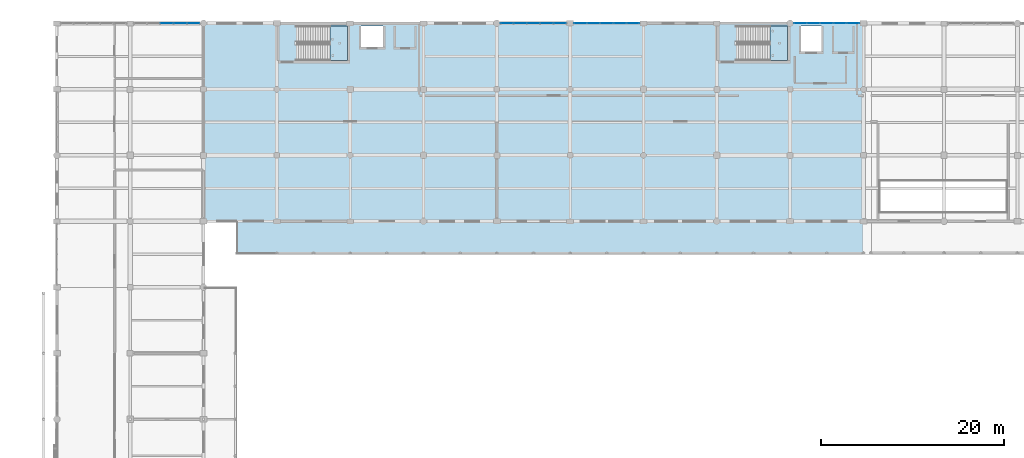
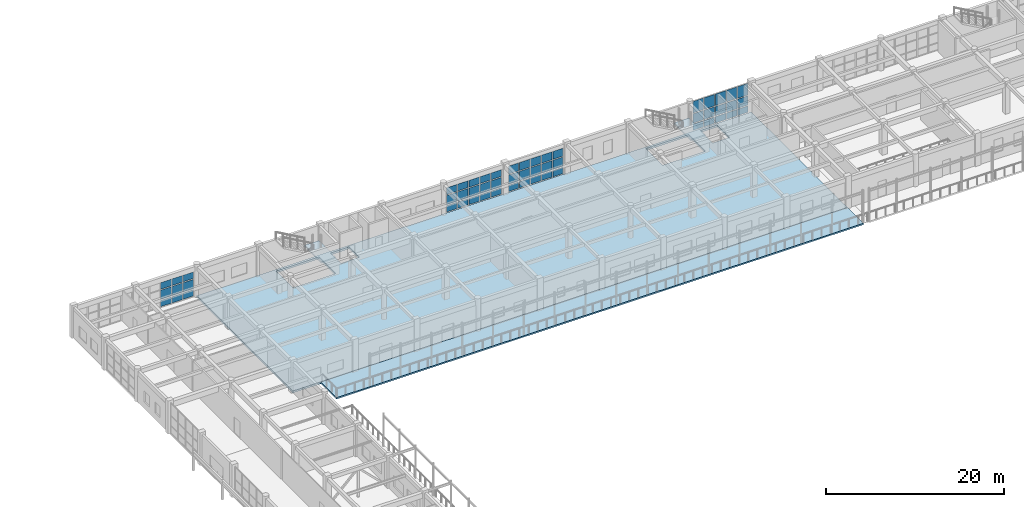
# One storey, part 115 of 160: 54 plates, 4 slabs, 6 elements without a shape of their own.
"""IFC4 building model written with IfcOpenShell, lengths in metres."""

from ifc_helpers import new_model, si_unit, direction, frame, origin, origin_2d, place, context, subcontext, project, spatial, polyline, rectangle, outline, extrude, material, layer, layer_set, type_object, element, aggregate, save


model = new_model("IFC4")

# Units and contexts
model_context = context("Model", 3, precision=1e-05, world=origin(), true_north=direction((0.0, 1.0)))
body_context = subcontext(model_context, "Body", "Model", "MODEL_VIEW")
ifc_project = project(units=[si_unit("LENGTHUNIT", "METRE"), si_unit("AREAUNIT", "SQUARE_METRE"), si_unit("VOLUMEUNIT", "CUBIC_METRE"), si_unit("PLANEANGLEUNIT", "RADIAN"), si_unit("MASSUNIT", "GRAM", prefix="KILO")], contexts=[model_context])

# Site, building, storey
site_placement = place(None, origin())
site = spatial("IfcSite", under=ifc_project, at=site_placement, CompositionType="ELEMENT")
building_placement = place(site_placement, origin())
building = spatial("IfcBuilding", under=site, at=building_placement, Name="Kharva Crest Polytechnic", CompositionType="ELEMENT")
storey_placement = place(building_placement, frame((0.0, 0.0, 4.5)))
storey = spatial("IfcBuildingStorey", under=building, at=storey_placement, Name="L01", CompositionType="ELEMENT", Elevation=4.5)

# Curtain wall, plates
ifc_material_1 = material(Name="Tempered insulated glass", Category="glass")
curtain_wall_type = type_object("IfcCurtainWallType", Name="CW-SYS-COURT", PredefinedType="USERDEFINED", material=ifc_material_1)
curtain_wall_1_placement = place(storey_placement, origin())
curtain_wall_1 = element("IfcCurtainWall", 1, at=curtain_wall_1_placement, inside=storey, type_object=curtain_wall_type, Name="L01 Glazed Curtain Wall CW-073", ObjectType="CURTAIN WALL", PredefinedType="USERDEFINED")
ifc_layer_1 = layer(ifc_material_1, 0.02392578125, Name="Tempered insulated glass")
ifc_layer_set_1 = layer_set([ifc_layer_1], Name="Tempered insulated glass")
plate_type = type_object("IfcPlateType", Name="CWP-GLZ-24", PredefinedType="CURTAIN_PANEL", material=ifc_layer_set_1)
plate_1_placement = place(storey_placement, frame((118.87451171875, 122.0, 0.119873046875), z_axis=(0.0, 0.0, 1.0), x_axis=(-1.0, 0.0, 0.0)))
plate_1 = element("IfcPlate", 2, at=plate_1_placement, type_object=plate_type, Name="CW-073 panel 1.1", PredefinedType="CURTAIN_PANEL", context=body_context, shape_type="SweptSolid", body=[
    extrude(rectangle(XDim=1.3310546875, YDim=0.02392578125, at=origin_2d()), origin(), (0.0, 0.0, 1.0), 0.8701171875),
])
plate_2_placement = place(storey_placement, frame((118.87451171875, 122.0, 1.10986328125), z_axis=(0.0, 0.0, 1.0), x_axis=(-1.0, 0.0, 0.0)))
plate_2 = element("IfcPlate", 3, at=plate_2_placement, type_object=plate_type, Name="CW-073 panel 1.2", PredefinedType="CURTAIN_PANEL", context=body_context, shape_type="SweptSolid", body=[
    extrude(rectangle(XDim=1.3310546875, YDim=0.02392578125, at=origin_2d()), origin(), (0.0, 0.0, 1.0), 1.280029296875),
])
plate_3_placement = place(storey_placement, frame((118.87451171875, 122.0, 2.509765625), z_axis=(0.0, 0.0, 1.0), x_axis=(-1.0, 0.0, 0.0)))
plate_3 = element("IfcPlate", 4, at=plate_3_placement, type_object=plate_type, Name="CW-073 panel 1.3", PredefinedType="CURTAIN_PANEL", context=body_context, shape_type="SweptSolid", body=[
    extrude(rectangle(XDim=1.3310546875, YDim=0.02392578125, at=origin_2d()), origin(), (0.0, 0.0, 1.0), 1.590087890625),
])
plate_4_placement = place(storey_placement, frame((117.443603515625, 122.0, 0.119873046875), z_axis=(0.0, 0.0, 1.0), x_axis=(-1.0, 0.0, 0.0)))
plate_4 = element("IfcPlate", 5, at=plate_4_placement, type_object=plate_type, Name="CW-073 panel 2.1", PredefinedType="CURTAIN_PANEL", context=body_context, shape_type="SweptSolid", body=[
    extrude(rectangle(XDim=1.37109375, YDim=0.02392578125, at=origin_2d()), origin(), (0.0, 0.0, 1.0), 0.8701171875),
])
plate_5_placement = place(storey_placement, frame((117.443603515625, 122.0, 1.10986328125), z_axis=(0.0, 0.0, 1.0), x_axis=(-1.0, 0.0, 0.0)))
plate_5 = element("IfcPlate", 6, at=plate_5_placement, type_object=plate_type, Name="CW-073 panel 2.2", PredefinedType="CURTAIN_PANEL", context=body_context, shape_type="SweptSolid", body=[
    extrude(rectangle(XDim=1.37109375, YDim=0.02392578125, at=origin_2d()), origin(), (0.0, 0.0, 1.0), 1.280029296875),
])
plate_6_placement = place(storey_placement, frame((117.443603515625, 122.0, 2.509765625), z_axis=(0.0, 0.0, 1.0), x_axis=(-1.0, 0.0, 0.0)))
plate_6 = element("IfcPlate", 7, at=plate_6_placement, type_object=plate_type, Name="CW-073 panel 2.3", PredefinedType="CURTAIN_PANEL", context=body_context, shape_type="SweptSolid", body=[
    extrude(rectangle(XDim=1.37109375, YDim=0.02392578125, at=origin_2d()), origin(), (0.0, 0.0, 1.0), 1.590087890625),
])
plate_7_placement = place(storey_placement, frame((115.992431640625, 122.0, 0.119873046875), z_axis=(0.0, 0.0, 1.0), x_axis=(-1.0, 0.0, 0.0)))
plate_7 = element("IfcPlate", 8, at=plate_7_placement, type_object=plate_type, Name="CW-073 panel 3.1", PredefinedType="CURTAIN_PANEL", context=body_context, shape_type="SweptSolid", body=[
    extrude(rectangle(XDim=1.37109375, YDim=0.02392578125, at=origin_2d()), origin(), (0.0, 0.0, 1.0), 0.8701171875),
])
plate_8_placement = place(storey_placement, frame((115.992431640625, 122.0, 1.10986328125), z_axis=(0.0, 0.0, 1.0), x_axis=(-1.0, 0.0, 0.0)))
plate_8 = element("IfcPlate", 9, at=plate_8_placement, type_object=plate_type, Name="CW-073 panel 3.2", PredefinedType="CURTAIN_PANEL", context=body_context, shape_type="SweptSolid", body=[
    extrude(rectangle(XDim=1.37109375, YDim=0.02392578125, at=origin_2d()), origin(), (0.0, 0.0, 1.0), 1.280029296875),
])
plate_9_placement = place(storey_placement, frame((115.992431640625, 122.0, 2.509765625), z_axis=(0.0, 0.0, 1.0), x_axis=(-1.0, 0.0, 0.0)))
plate_9 = element("IfcPlate", 10, at=plate_9_placement, type_object=plate_type, Name="CW-073 panel 3.3", PredefinedType="CURTAIN_PANEL", context=body_context, shape_type="SweptSolid", body=[
    extrude(rectangle(XDim=1.37109375, YDim=0.02392578125, at=origin_2d()), origin(), (0.0, 0.0, 1.0), 1.590087890625),
])
plate_10_placement = place(storey_placement, frame((114.54150390625, 122.0, 0.119873046875), z_axis=(0.0, 0.0, 1.0), x_axis=(-1.0, 0.0, 0.0)))
plate_10 = element("IfcPlate", 11, at=plate_10_placement, type_object=plate_type, Name="CW-073 panel 4.1", PredefinedType="CURTAIN_PANEL", context=body_context, shape_type="SweptSolid", body=[
    extrude(rectangle(XDim=1.37109375, YDim=0.02392578125, at=origin_2d()), origin(), (0.0, 0.0, 1.0), 0.8701171875),
])
plate_11_placement = place(storey_placement, frame((114.54150390625, 122.0, 1.10986328125), z_axis=(0.0, 0.0, 1.0), x_axis=(-1.0, 0.0, 0.0)))
plate_11 = element("IfcPlate", 12, at=plate_11_placement, type_object=plate_type, Name="CW-073 panel 4.2", PredefinedType="CURTAIN_PANEL", context=body_context, shape_type="SweptSolid", body=[
    extrude(rectangle(XDim=1.37109375, YDim=0.02392578125, at=origin_2d()), origin(), (0.0, 0.0, 1.0), 1.280029296875),
])
plate_12_placement = place(storey_placement, frame((114.54150390625, 122.0, 2.509765625), z_axis=(0.0, 0.0, 1.0), x_axis=(-1.0, 0.0, 0.0)))
plate_12 = element("IfcPlate", 13, at=plate_12_placement, type_object=plate_type, Name="CW-073 panel 4.3", PredefinedType="CURTAIN_PANEL", context=body_context, shape_type="SweptSolid", body=[
    extrude(rectangle(XDim=1.37109375, YDim=0.02392578125, at=origin_2d()), origin(), (0.0, 0.0, 1.0), 1.590087890625),
])
plate_13_placement = place(storey_placement, frame((113.110595703125, 122.0, 0.119873046875), z_axis=(0.0, 0.0, 1.0), x_axis=(-1.0, 0.0, 0.0)))
plate_13 = element("IfcPlate", 14, at=plate_13_placement, type_object=plate_type, Name="CW-073 panel 5.1", PredefinedType="CURTAIN_PANEL", context=body_context, shape_type="SweptSolid", body=[
    extrude(rectangle(XDim=1.3310546875, YDim=0.02392578125, at=origin_2d()), origin(), (0.0, 0.0, 1.0), 0.8701171875),
])
plate_14_placement = place(storey_placement, frame((113.110595703125, 122.0, 1.10986328125), z_axis=(0.0, 0.0, 1.0), x_axis=(-1.0, 0.0, 0.0)))
plate_14 = element("IfcPlate", 15, at=plate_14_placement, type_object=plate_type, Name="CW-073 panel 5.2", PredefinedType="CURTAIN_PANEL", context=body_context, shape_type="SweptSolid", body=[
    extrude(rectangle(XDim=1.3310546875, YDim=0.02392578125, at=origin_2d()), origin(), (0.0, 0.0, 1.0), 1.280029296875),
])
plate_15_placement = place(storey_placement, frame((113.110595703125, 122.0, 2.509765625), z_axis=(0.0, 0.0, 1.0), x_axis=(-1.0, 0.0, 0.0)))
plate_15 = element("IfcPlate", 16, at=plate_15_placement, type_object=plate_type, Name="CW-073 panel 5.3", PredefinedType="CURTAIN_PANEL", context=body_context, shape_type="SweptSolid", body=[
    extrude(rectangle(XDim=1.3310546875, YDim=0.02392578125, at=origin_2d()), origin(), (0.0, 0.0, 1.0), 1.590087890625),
])
aggregate(curtain_wall_1, [plate_1, plate_2, plate_3, plate_4, plate_5, plate_6, plate_7, plate_8, plate_9, plate_10, plate_11, plate_12, plate_13, plate_14, plate_15])

curtain_wall_2_placement = place(storey_placement, origin())
curtain_wall_2 = element("IfcCurtainWall", 17, at=curtain_wall_2_placement, inside=storey, type_object=curtain_wall_type, Name="L01 Glazed Curtain Wall CW-074", ObjectType="CURTAIN WALL", PredefinedType="USERDEFINED")
plate_16_placement = place(storey_placement, frame((94.8759765625, 122.0, 0.119873046875), z_axis=(0.0, 0.0, 1.0), x_axis=(-1.0, 0.0, 0.0)))
plate_16 = element("IfcPlate", 18, at=plate_16_placement, type_object=plate_type, Name="CW-074 panel 1.1", PredefinedType="CURTAIN_PANEL", context=body_context, shape_type="SweptSolid", body=[
    extrude(rectangle(XDim=1.327880859375, YDim=0.02392578125, at=origin_2d()), origin(), (0.0, 0.0, 1.0), 0.8701171875),
])
plate_17_placement = place(storey_placement, frame((94.8759765625, 122.0, 1.10986328125), z_axis=(0.0, 0.0, 1.0), x_axis=(-1.0, 0.0, 0.0)))
plate_17 = element("IfcPlate", 19, at=plate_17_placement, type_object=plate_type, Name="CW-074 panel 1.2", PredefinedType="CURTAIN_PANEL", context=body_context, shape_type="SweptSolid", body=[
    extrude(rectangle(XDim=1.327880859375, YDim=0.02392578125, at=origin_2d()), origin(), (0.0, 0.0, 1.0), 1.280029296875),
])
plate_18_placement = place(storey_placement, frame((94.8759765625, 122.0, 2.509765625), z_axis=(0.0, 0.0, 1.0), x_axis=(-1.0, 0.0, 0.0)))
plate_18 = element("IfcPlate", 20, at=plate_18_placement, type_object=plate_type, Name="CW-074 panel 1.3", PredefinedType="CURTAIN_PANEL", context=body_context, shape_type="SweptSolid", body=[
    extrude(rectangle(XDim=1.327880859375, YDim=0.02392578125, at=origin_2d()), origin(), (0.0, 0.0, 1.0), 1.090087890625),
])
plate_19_placement = place(storey_placement, frame((93.447998046875, 122.0, 0.119873046875), z_axis=(0.0, 0.0, 1.0), x_axis=(-1.0, 0.0, 0.0)))
plate_19 = element("IfcPlate", 21, at=plate_19_placement, type_object=plate_type, Name="CW-074 panel 2.1", PredefinedType="CURTAIN_PANEL", context=body_context, shape_type="SweptSolid", body=[
    extrude(rectangle(XDim=1.367919921875, YDim=0.02392578125, at=origin_2d()), origin(), (0.0, 0.0, 1.0), 0.8701171875),
])
plate_20_placement = place(storey_placement, frame((93.447998046875, 122.0, 1.10986328125), z_axis=(0.0, 0.0, 1.0), x_axis=(-1.0, 0.0, 0.0)))
plate_20 = element("IfcPlate", 22, at=plate_20_placement, type_object=plate_type, Name="CW-074 panel 2.2", PredefinedType="CURTAIN_PANEL", context=body_context, shape_type="SweptSolid", body=[
    extrude(rectangle(XDim=1.367919921875, YDim=0.02392578125, at=origin_2d()), origin(), (0.0, 0.0, 1.0), 1.280029296875),
])
plate_21_placement = place(storey_placement, frame((93.447998046875, 122.0, 2.509765625), z_axis=(0.0, 0.0, 1.0), x_axis=(-1.0, 0.0, 0.0)))
plate_21 = element("IfcPlate", 23, at=plate_21_placement, type_object=plate_type, Name="CW-074 panel 2.3", PredefinedType="CURTAIN_PANEL", context=body_context, shape_type="SweptSolid", body=[
    extrude(rectangle(XDim=1.367919921875, YDim=0.02392578125, at=origin_2d()), origin(), (0.0, 0.0, 1.0), 1.090087890625),
])
plate_22_placement = place(storey_placement, frame((92.0, 122.0, 0.119873046875), z_axis=(0.0, 0.0, 1.0), x_axis=(-1.0, 0.0, 0.0)))
plate_22 = element("IfcPlate", 24, at=plate_22_placement, type_object=plate_type, Name="CW-074 panel 3.1", PredefinedType="CURTAIN_PANEL", context=body_context, shape_type="SweptSolid", body=[
    extrude(rectangle(XDim=1.367919921875, YDim=0.02392578125, at=origin_2d()), origin(), (0.0, 0.0, 1.0), 0.8701171875),
])
plate_23_placement = place(storey_placement, frame((92.0, 122.0, 1.10986328125), z_axis=(0.0, 0.0, 1.0), x_axis=(-1.0, 0.0, 0.0)))
plate_23 = element("IfcPlate", 25, at=plate_23_placement, type_object=plate_type, Name="CW-074 panel 3.2", PredefinedType="CURTAIN_PANEL", context=body_context, shape_type="SweptSolid", body=[
    extrude(rectangle(XDim=1.367919921875, YDim=0.02392578125, at=origin_2d()), origin(), (0.0, 0.0, 1.0), 1.280029296875),
])
plate_24_placement = place(storey_placement, frame((92.0, 122.0, 2.509765625), z_axis=(0.0, 0.0, 1.0), x_axis=(-1.0, 0.0, 0.0)))
plate_24 = element("IfcPlate", 26, at=plate_24_placement, type_object=plate_type, Name="CW-074 panel 3.3", PredefinedType="CURTAIN_PANEL", context=body_context, shape_type="SweptSolid", body=[
    extrude(rectangle(XDim=1.367919921875, YDim=0.02392578125, at=origin_2d()), origin(), (0.0, 0.0, 1.0), 1.090087890625),
])
plate_25_placement = place(storey_placement, frame((90.552001953125, 122.0, 0.119873046875), z_axis=(0.0, 0.0, 1.0), x_axis=(-1.0, 0.0, 0.0)))
plate_25 = element("IfcPlate", 27, at=plate_25_placement, type_object=plate_type, Name="CW-074 panel 4.1", PredefinedType="CURTAIN_PANEL", context=body_context, shape_type="SweptSolid", body=[
    extrude(rectangle(XDim=1.367919921875, YDim=0.02392578125, at=origin_2d()), origin(), (0.0, 0.0, 1.0), 0.8701171875),
])
plate_26_placement = place(storey_placement, frame((90.552001953125, 122.0, 1.10986328125), z_axis=(0.0, 0.0, 1.0), x_axis=(-1.0, 0.0, 0.0)))
plate_26 = element("IfcPlate", 28, at=plate_26_placement, type_object=plate_type, Name="CW-074 panel 4.2", PredefinedType="CURTAIN_PANEL", context=body_context, shape_type="SweptSolid", body=[
    extrude(rectangle(XDim=1.367919921875, YDim=0.02392578125, at=origin_2d()), origin(), (0.0, 0.0, 1.0), 1.280029296875),
])
plate_27_placement = place(storey_placement, frame((90.552001953125, 122.0, 2.509765625), z_axis=(0.0, 0.0, 1.0), x_axis=(-1.0, 0.0, 0.0)))
plate_27 = element("IfcPlate", 29, at=plate_27_placement, type_object=plate_type, Name="CW-074 panel 4.3", PredefinedType="CURTAIN_PANEL", context=body_context, shape_type="SweptSolid", body=[
    extrude(rectangle(XDim=1.367919921875, YDim=0.02392578125, at=origin_2d()), origin(), (0.0, 0.0, 1.0), 1.090087890625),
])
plate_28_placement = place(storey_placement, frame((89.1240234375, 122.0, 0.119873046875), z_axis=(0.0, 0.0, 1.0), x_axis=(-1.0, 0.0, 0.0)))
plate_28 = element("IfcPlate", 30, at=plate_28_placement, type_object=plate_type, Name="CW-074 panel 5.1", PredefinedType="CURTAIN_PANEL", context=body_context, shape_type="SweptSolid", body=[
    extrude(rectangle(XDim=1.327880859375, YDim=0.02392578125, at=origin_2d()), origin(), (0.0, 0.0, 1.0), 0.8701171875),
])
plate_29_placement = place(storey_placement, frame((89.1240234375, 122.0, 1.10986328125), z_axis=(0.0, 0.0, 1.0), x_axis=(-1.0, 0.0, 0.0)))
plate_29 = element("IfcPlate", 31, at=plate_29_placement, type_object=plate_type, Name="CW-074 panel 5.2", PredefinedType="CURTAIN_PANEL", context=body_context, shape_type="SweptSolid", body=[
    extrude(rectangle(XDim=1.327880859375, YDim=0.02392578125, at=origin_2d()), origin(), (0.0, 0.0, 1.0), 1.280029296875),
])
plate_30_placement = place(storey_placement, frame((89.1240234375, 122.0, 2.509765625), z_axis=(0.0, 0.0, 1.0), x_axis=(-1.0, 0.0, 0.0)))
plate_30 = element("IfcPlate", 32, at=plate_30_placement, type_object=plate_type, Name="CW-074 panel 5.3", PredefinedType="CURTAIN_PANEL", context=body_context, shape_type="SweptSolid", body=[
    extrude(rectangle(XDim=1.327880859375, YDim=0.02392578125, at=origin_2d()), origin(), (0.0, 0.0, 1.0), 1.090087890625),
])
aggregate(curtain_wall_2, [plate_16, plate_17, plate_18, plate_19, plate_20, plate_21, plate_22, plate_23, plate_24, plate_25, plate_26, plate_27, plate_28, plate_29, plate_30])

curtain_wall_3_placement = place(storey_placement, origin())
curtain_wall_3 = element("IfcCurtainWall", 33, at=curtain_wall_3_placement, inside=storey, type_object=curtain_wall_type, Name="L01 Glazed Curtain Wall CW-075", ObjectType="CURTAIN WALL", PredefinedType="USERDEFINED")
plate_31_placement = place(storey_placement, frame((86.87451171875, 122.0, 0.119873046875), z_axis=(0.0, 0.0, 1.0), x_axis=(-1.0, 0.0, 0.0)))
plate_31 = element("IfcPlate", 34, at=plate_31_placement, type_object=plate_type, Name="CW-075 panel 1.1", PredefinedType="CURTAIN_PANEL", context=body_context, shape_type="SweptSolid", body=[
    extrude(rectangle(XDim=1.3310546875, YDim=0.02392578125, at=origin_2d()), origin(), (0.0, 0.0, 1.0), 0.8701171875),
])
plate_32_placement = place(storey_placement, frame((86.87451171875, 122.0, 1.10986328125), z_axis=(0.0, 0.0, 1.0), x_axis=(-1.0, 0.0, 0.0)))
plate_32 = element("IfcPlate", 35, at=plate_32_placement, type_object=plate_type, Name="CW-075 panel 1.2", PredefinedType="CURTAIN_PANEL", context=body_context, shape_type="SweptSolid", body=[
    extrude(rectangle(XDim=1.3310546875, YDim=0.02392578125, at=origin_2d()), origin(), (0.0, 0.0, 1.0), 1.280029296875),
])
plate_33_placement = place(storey_placement, frame((86.87451171875, 122.0, 2.510009765625), z_axis=(0.0, 0.0, 1.0), x_axis=(-1.0, 0.0, 0.0)))
plate_33 = element("IfcPlate", 36, at=plate_33_placement, type_object=plate_type, Name="CW-075 panel 1.3", PredefinedType="CURTAIN_PANEL", context=body_context, shape_type="SweptSolid", body=[
    extrude(rectangle(XDim=1.3310546875, YDim=0.02392578125, at=origin_2d()), origin(), (0.0, 0.0, 1.0), 0.93994140625),
])
plate_34_placement = place(storey_placement, frame((85.443603515625, 122.0, 0.119873046875), z_axis=(0.0, 0.0, 1.0), x_axis=(-1.0, 0.0, 0.0)))
plate_34 = element("IfcPlate", 37, at=plate_34_placement, type_object=plate_type, Name="CW-075 panel 2.1", PredefinedType="CURTAIN_PANEL", context=body_context, shape_type="SweptSolid", body=[
    extrude(rectangle(XDim=1.37109375, YDim=0.02392578125, at=origin_2d()), origin(), (0.0, 0.0, 1.0), 0.8701171875),
])
plate_35_placement = place(storey_placement, frame((85.443603515625, 122.0, 1.10986328125), z_axis=(0.0, 0.0, 1.0), x_axis=(-1.0, 0.0, 0.0)))
plate_35 = element("IfcPlate", 38, at=plate_35_placement, type_object=plate_type, Name="CW-075 panel 2.2", PredefinedType="CURTAIN_PANEL", context=body_context, shape_type="SweptSolid", body=[
    extrude(rectangle(XDim=1.37109375, YDim=0.02392578125, at=origin_2d()), origin(), (0.0, 0.0, 1.0), 1.280029296875),
])
plate_36_placement = place(storey_placement, frame((85.443603515625, 122.0, 2.510009765625), z_axis=(0.0, 0.0, 1.0), x_axis=(-1.0, 0.0, 0.0)))
plate_36 = element("IfcPlate", 39, at=plate_36_placement, type_object=plate_type, Name="CW-075 panel 2.3", PredefinedType="CURTAIN_PANEL", context=body_context, shape_type="SweptSolid", body=[
    extrude(rectangle(XDim=1.37109375, YDim=0.02392578125, at=origin_2d()), origin(), (0.0, 0.0, 1.0), 0.93994140625),
])
plate_37_placement = place(storey_placement, frame((83.992431640625, 122.0, 0.119873046875), z_axis=(0.0, 0.0, 1.0), x_axis=(-1.0, 0.0, 0.0)))
plate_37 = element("IfcPlate", 40, at=plate_37_placement, type_object=plate_type, Name="CW-075 panel 3.1", PredefinedType="CURTAIN_PANEL", context=body_context, shape_type="SweptSolid", body=[
    extrude(rectangle(XDim=1.37109375, YDim=0.02392578125, at=origin_2d()), origin(), (0.0, 0.0, 1.0), 0.8701171875),
])
plate_38_placement = place(storey_placement, frame((83.992431640625, 122.0, 1.10986328125), z_axis=(0.0, 0.0, 1.0), x_axis=(-1.0, 0.0, 0.0)))
plate_38 = element("IfcPlate", 41, at=plate_38_placement, type_object=plate_type, Name="CW-075 panel 3.2", PredefinedType="CURTAIN_PANEL", context=body_context, shape_type="SweptSolid", body=[
    extrude(rectangle(XDim=1.37109375, YDim=0.02392578125, at=origin_2d()), origin(), (0.0, 0.0, 1.0), 1.280029296875),
])
plate_39_placement = place(storey_placement, frame((83.992431640625, 122.0, 2.510009765625), z_axis=(0.0, 0.0, 1.0), x_axis=(-1.0, 0.0, 0.0)))
plate_39 = element("IfcPlate", 42, at=plate_39_placement, type_object=plate_type, Name="CW-075 panel 3.3", PredefinedType="CURTAIN_PANEL", context=body_context, shape_type="SweptSolid", body=[
    extrude(rectangle(XDim=1.37109375, YDim=0.02392578125, at=origin_2d()), origin(), (0.0, 0.0, 1.0), 0.93994140625),
])
plate_40_placement = place(storey_placement, frame((82.54150390625, 122.0, 0.119873046875), z_axis=(0.0, 0.0, 1.0), x_axis=(-1.0, 0.0, 0.0)))
plate_40 = element("IfcPlate", 43, at=plate_40_placement, type_object=plate_type, Name="CW-075 panel 4.1", PredefinedType="CURTAIN_PANEL", context=body_context, shape_type="SweptSolid", body=[
    extrude(rectangle(XDim=1.37109375, YDim=0.02392578125, at=origin_2d()), origin(), (0.0, 0.0, 1.0), 0.8701171875),
])
plate_41_placement = place(storey_placement, frame((82.54150390625, 122.0, 1.10986328125), z_axis=(0.0, 0.0, 1.0), x_axis=(-1.0, 0.0, 0.0)))
plate_41 = element("IfcPlate", 44, at=plate_41_placement, type_object=plate_type, Name="CW-075 panel 4.2", PredefinedType="CURTAIN_PANEL", context=body_context, shape_type="SweptSolid", body=[
    extrude(rectangle(XDim=1.37109375, YDim=0.02392578125, at=origin_2d()), origin(), (0.0, 0.0, 1.0), 1.280029296875),
])
plate_42_placement = place(storey_placement, frame((82.54150390625, 122.0, 2.510009765625), z_axis=(0.0, 0.0, 1.0), x_axis=(-1.0, 0.0, 0.0)))
plate_42 = element("IfcPlate", 45, at=plate_42_placement, type_object=plate_type, Name="CW-075 panel 4.3", PredefinedType="CURTAIN_PANEL", context=body_context, shape_type="SweptSolid", body=[
    extrude(rectangle(XDim=1.37109375, YDim=0.02392578125, at=origin_2d()), origin(), (0.0, 0.0, 1.0), 0.93994140625),
])
plate_43_placement = place(storey_placement, frame((81.110595703125, 122.0, 0.119873046875), z_axis=(0.0, 0.0, 1.0), x_axis=(-1.0, 0.0, 0.0)))
plate_43 = element("IfcPlate", 46, at=plate_43_placement, type_object=plate_type, Name="CW-075 panel 5.1", PredefinedType="CURTAIN_PANEL", context=body_context, shape_type="SweptSolid", body=[
    extrude(rectangle(XDim=1.3310546875, YDim=0.02392578125, at=origin_2d()), origin(), (0.0, 0.0, 1.0), 0.8701171875),
])
plate_44_placement = place(storey_placement, frame((81.110595703125, 122.0, 1.10986328125), z_axis=(0.0, 0.0, 1.0), x_axis=(-1.0, 0.0, 0.0)))
plate_44 = element("IfcPlate", 47, at=plate_44_placement, type_object=plate_type, Name="CW-075 panel 5.2", PredefinedType="CURTAIN_PANEL", context=body_context, shape_type="SweptSolid", body=[
    extrude(rectangle(XDim=1.3310546875, YDim=0.02392578125, at=origin_2d()), origin(), (0.0, 0.0, 1.0), 1.280029296875),
])
plate_45_placement = place(storey_placement, frame((81.110595703125, 122.0, 2.510009765625), z_axis=(0.0, 0.0, 1.0), x_axis=(-1.0, 0.0, 0.0)))
plate_45 = element("IfcPlate", 48, at=plate_45_placement, type_object=plate_type, Name="CW-075 panel 5.3", PredefinedType="CURTAIN_PANEL", context=body_context, shape_type="SweptSolid", body=[
    extrude(rectangle(XDim=1.3310546875, YDim=0.02392578125, at=origin_2d()), origin(), (0.0, 0.0, 1.0), 0.93994140625),
])
aggregate(curtain_wall_3, [plate_31, plate_32, plate_33, plate_34, plate_35, plate_36, plate_37, plate_38, plate_39, plate_40, plate_41, plate_42, plate_43, plate_44, plate_45])

curtain_wall_4_placement = place(storey_placement, origin())
curtain_wall_4 = element("IfcCurtainWall", 49, at=curtain_wall_4_placement, inside=storey, type_object=curtain_wall_type, Name="L01 Glazed Curtain Wall CW-076", ObjectType="CURTAIN WALL", PredefinedType="USERDEFINED")
plate_46_placement = place(storey_placement, frame((46.887939453125, 122.0, 0.119873046875), z_axis=(0.0, 0.0, 1.0), x_axis=(-1.0, 0.0, 0.0)))
plate_46 = element("IfcPlate", 50, at=plate_46_placement, type_object=plate_type, Name="CW-076 panel 1.1", PredefinedType="CURTAIN_PANEL", context=body_context, shape_type="SweptSolid", body=[
    extrude(rectangle(XDim=1.333984375, YDim=0.02392578125, at=origin_2d()), origin(), (0.0, 0.0, 1.0), 0.8701171875),
])
plate_47_placement = place(storey_placement, frame((46.887939453125, 122.0, 1.10986328125), z_axis=(0.0, 0.0, 1.0), x_axis=(-1.0, 0.0, 0.0)))
plate_47 = element("IfcPlate", 51, at=plate_47_placement, type_object=plate_type, Name="CW-076 panel 1.2", PredefinedType="CURTAIN_PANEL", context=body_context, shape_type="SweptSolid", body=[
    extrude(rectangle(XDim=1.333984375, YDim=0.02392578125, at=origin_2d()), origin(), (0.0, 0.0, 1.0), 1.280029296875),
])
plate_48_placement = place(storey_placement, frame((46.887939453125, 122.0, 2.51025390625), z_axis=(0.0, 0.0, 1.0), x_axis=(-1.0, 0.0, 0.0)))
plate_48 = element("IfcPlate", 52, at=plate_48_placement, type_object=plate_type, Name="CW-076 panel 1.3", PredefinedType="CURTAIN_PANEL", context=body_context, shape_type="SweptSolid", body=[
    extrude(rectangle(XDim=1.333984375, YDim=0.02392578125, at=origin_2d()), origin(), (0.0, 0.0, 1.0), 0.909912109375),
])
plate_49_placement = place(storey_placement, frame((45.4541015625, 122.0, 0.119873046875), z_axis=(0.0, 0.0, 1.0), x_axis=(-1.0, 0.0, 0.0)))
plate_49 = element("IfcPlate", 53, at=plate_49_placement, type_object=plate_type, Name="CW-076 panel 2.1", PredefinedType="CURTAIN_PANEL", context=body_context, shape_type="SweptSolid", body=[
    extrude(rectangle(XDim=1.3740234375, YDim=0.02392578125, at=origin_2d()), origin(), (0.0, 0.0, 1.0), 0.8701171875),
])
plate_50_placement = place(storey_placement, frame((45.4541015625, 122.0, 1.10986328125), z_axis=(0.0, 0.0, 1.0), x_axis=(-1.0, 0.0, 0.0)))
plate_50 = element("IfcPlate", 54, at=plate_50_placement, type_object=plate_type, Name="CW-076 panel 2.2", PredefinedType="CURTAIN_PANEL", context=body_context, shape_type="SweptSolid", body=[
    extrude(rectangle(XDim=1.3740234375, YDim=0.02392578125, at=origin_2d()), origin(), (0.0, 0.0, 1.0), 1.280029296875),
])
plate_51_placement = place(storey_placement, frame((45.4541015625, 122.0, 2.51025390625), z_axis=(0.0, 0.0, 1.0), x_axis=(-1.0, 0.0, 0.0)))
plate_51 = element("IfcPlate", 55, at=plate_51_placement, type_object=plate_type, Name="CW-076 panel 2.3", PredefinedType="CURTAIN_PANEL", context=body_context, shape_type="SweptSolid", body=[
    extrude(rectangle(XDim=1.3740234375, YDim=0.02392578125, at=origin_2d()), origin(), (0.0, 0.0, 1.0), 0.909912109375),
])
plate_52_placement = place(storey_placement, frame((44.0, 122.0, 0.119873046875), z_axis=(0.0, 0.0, 1.0), x_axis=(-1.0, 0.0, 0.0)))
plate_52 = element("IfcPlate", 56, at=plate_52_placement, type_object=plate_type, Name="CW-076 panel 3.1", PredefinedType="CURTAIN_PANEL", context=body_context, shape_type="SweptSolid", body=[
    extrude(rectangle(XDim=1.3740234375, YDim=0.02392578125, at=origin_2d()), origin(), (0.0, 0.0, 1.0), 0.8701171875),
])
plate_53_placement = place(storey_placement, frame((44.0, 122.0, 1.10986328125), z_axis=(0.0, 0.0, 1.0), x_axis=(-1.0, 0.0, 0.0)))
plate_53 = element("IfcPlate", 57, at=plate_53_placement, type_object=plate_type, Name="CW-076 panel 3.2", PredefinedType="CURTAIN_PANEL", context=body_context, shape_type="SweptSolid", body=[
    extrude(rectangle(XDim=1.3740234375, YDim=0.02392578125, at=origin_2d()), origin(), (0.0, 0.0, 1.0), 1.280029296875),
])
plate_54_placement = place(storey_placement, frame((44.0, 122.0, 2.51025390625), z_axis=(0.0, 0.0, 1.0), x_axis=(-1.0, 0.0, 0.0)))
plate_54 = element("IfcPlate", 58, at=plate_54_placement, type_object=plate_type, Name="CW-076 panel 3.3", PredefinedType="CURTAIN_PANEL", context=body_context, shape_type="SweptSolid", body=[
    extrude(rectangle(XDim=1.3740234375, YDim=0.02392578125, at=origin_2d()), origin(), (0.0, 0.0, 1.0), 0.909912109375),
])
aggregate(curtain_wall_4, [plate_46, plate_47, plate_48, plate_49, plate_50, plate_51, plate_52, plate_53, plate_54])

# Slab
ifc_material_2 = material(Name="Concrete C35/45", Category="concrete")
ifc_layer_2 = layer(ifc_material_2, 0.27001953125, Name="Concrete C35/45")
ifc_layer_set_2 = layer_set([ifc_layer_2], Name="Concrete C35/45")
slab_type_1 = type_object("IfcSlabType", Name="SLB-FLR-270", PredefinedType="FLOOR", material=ifc_layer_set_2)
slab_1_placement = place(storey_placement, frame((0.0, 0.0, -0.27001953125)))
element("IfcSlab", 59, at=slab_1_placement, inside=storey, type_object=slab_type_1, Name="L01 Structural Slab N_LAB-W", PredefinedType="FLOOR", context=body_context, shape_type="SweptSolid", body=[
    extrude(outline(polyline([(48.0, 100.39990234375), (120.0, 100.39990234375), (120.0, 122.0), (48.0, 122.0), (48.0, 100.39990234375)]), holes=[polyline([(58.1298828125, 117.93994140625), (63.699951171875, 117.93994140625), (63.699951171875, 121.699951171875), (58.1298828125, 121.699951171875), (58.1298828125, 117.93994140625)]), polyline([(65.199951171875, 119.39990234375), (67.60009765625, 119.39990234375), (67.60009765625, 121.699951171875), (65.199951171875, 121.699951171875), (65.199951171875, 119.39990234375)]), polyline([(106.1298828125, 117.93994140625), (111.699951171875, 117.93994140625), (111.699951171875, 121.699951171875), (106.1298828125, 121.699951171875), (106.1298828125, 117.93994140625)]), polyline([(113.199951171875, 118.89990234375), (115.39990234375, 118.89990234375), (115.39990234375, 121.699951171875), (113.199951171875, 121.699951171875), (113.199951171875, 118.89990234375)])]), origin(), (0.0, 0.0, 1.0), 0.27001953125),
])

# Stair, slab
stair_type = type_object("IfcStairType", Name="STR-DOGLEG-1780", PredefinedType="TWO_STRAIGHT_RUN_STAIR", material=ifc_material_2)
stair_1_placement = place(storey_placement, origin())
stair_1 = element("IfcStair", 60, at=stair_1_placement, inside=storey, type_object=stair_type, Name="L01 North-West Lab Core C3", PredefinedType="TWO_STRAIGHT_RUN_STAIR")
ifc_layer_3 = layer(ifc_material_2, 0.199951171875, Name="Concrete C35/45")
ifc_layer_set_3 = layer_set([ifc_layer_3], Name="Concrete C35/45")
slab_type_2 = type_object("IfcSlabType", Name="SLB-LAND-200", PredefinedType="LANDING", material=ifc_layer_set_3)
slab_2_placement = place(storey_placement, frame((0.0, 0.0, 2.050048828125)))
slab_2 = element("IfcSlab", 61, at=slab_2_placement, type_object=slab_type_2, Name="ST-03 landing 1", PredefinedType="LANDING", context=body_context, shape_type="SweptSolid", body=[
    extrude(outline(polyline([(61.800048828125, 117.93994140625), (63.699951171875, 117.93994140625), (63.699951171875, 121.699951171875), (61.800048828125, 121.699951171875), (61.800048828125, 117.93994140625)])), origin(), (0.0, 0.0, 1.0), 0.199951171875),
])
aggregate(stair_1, [slab_2])

stair_2_placement = place(storey_placement, origin())
stair_2 = element("IfcStair", 62, at=stair_2_placement, inside=storey, type_object=stair_type, Name="L01 North Crest Firefighting Core C4", PredefinedType="TWO_STRAIGHT_RUN_STAIR")
slab_3_placement = place(storey_placement, frame((0.0, 0.0, 2.050048828125)))
slab_3 = element("IfcSlab", 63, at=slab_3_placement, type_object=slab_type_2, Name="ST-04 landing 1", PredefinedType="LANDING", context=body_context, shape_type="SweptSolid", body=[
    extrude(outline(polyline([(109.800048828125, 117.93994140625), (111.699951171875, 117.93994140625), (111.699951171875, 121.699951171875), (109.800048828125, 121.699951171875), (109.800048828125, 117.93994140625)])), origin(), (0.0, 0.0, 1.0), 0.199951171875),
])
aggregate(stair_2, [slab_3])

# Slab
ifc_layer_4 = layer(ifc_material_2, 0.199951171875, Name="Concrete C35/45")
ifc_layer_set_4 = layer_set([ifc_layer_4], Name="Concrete C35/45")
slab_type_3 = type_object("IfcSlabType", Name="SLB-VER-200", PredefinedType="FLOOR", material=ifc_layer_set_4)
slab_4_placement = place(storey_placement, frame((0.0, 0.0, -0.199951171875)))
element("IfcSlab", 64, at=slab_4_placement, inside=storey, type_object=slab_type_3, Name="L01 Outdoor Veranda Slab VER_N_L01-W", PredefinedType="FLOOR", context=body_context, shape_type="SweptSolid", body=[
    extrude(outline(polyline([(51.60009765625, 96.800048828125), (120.0, 96.800048828125), (120.0, 100.39990234375), (51.60009765625, 100.39990234375), (51.60009765625, 96.800048828125)])), origin(), (0.0, 0.0, 1.0), 0.199951171875),
])

save(model, "model.ifc")
